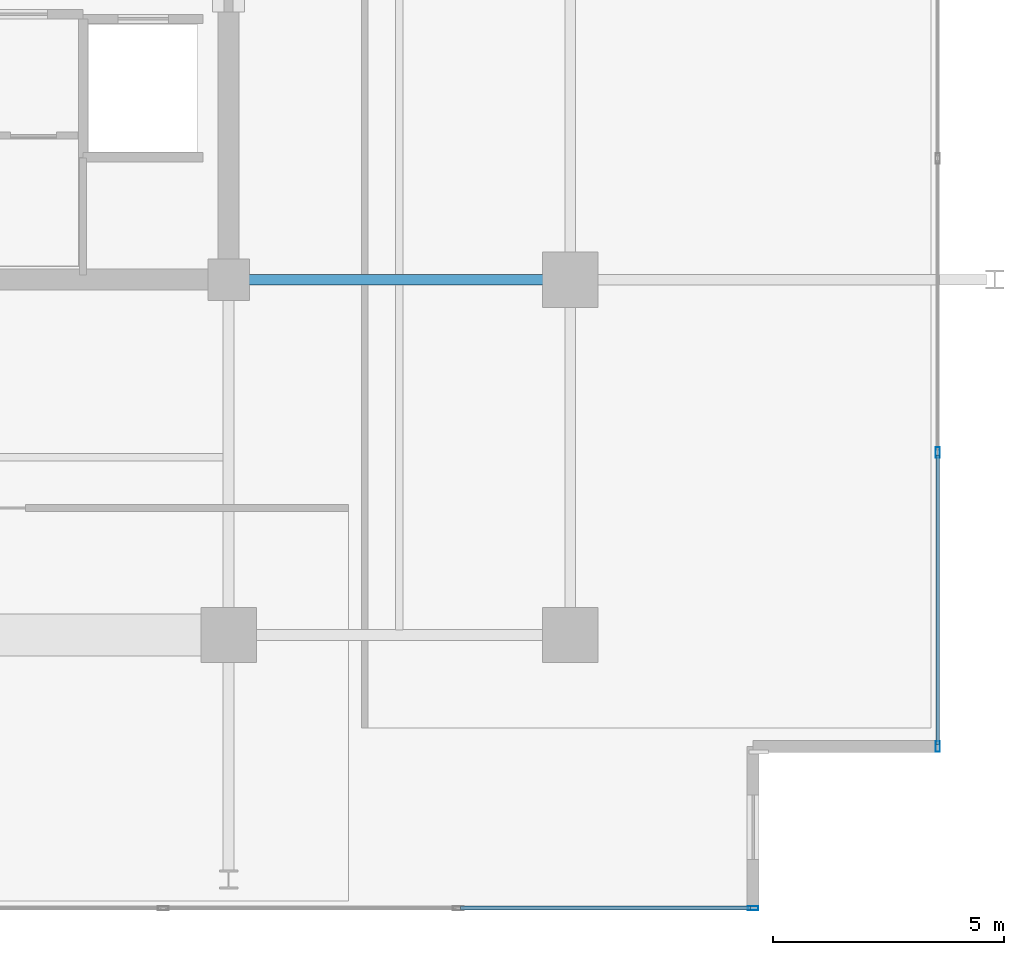
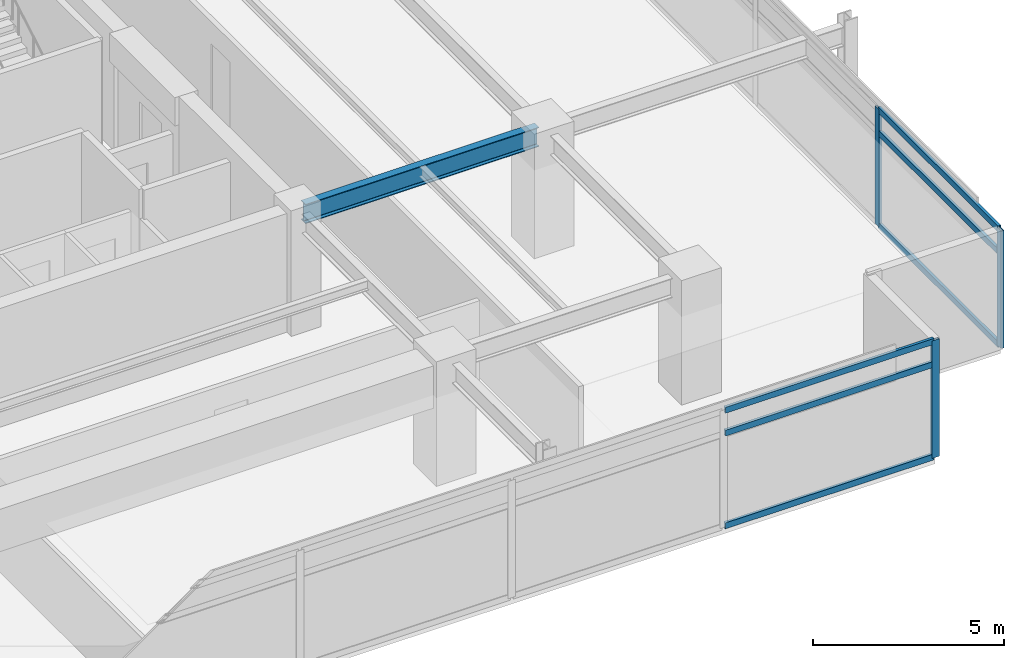
# One storey, part 7 of 21: 9 members, 1 beam, 2 elements without a shape of their own.
"""IFC4 building model written with IfcOpenShell, lengths in metres."""

from ifc_helpers import new_model, si_unit, direction, frame, origin, origin_2d, place, context, subcontext, project, spatial, hollow_rectangle, i_section, extrude, material, material_profile, profile_set, type_object, element, aggregate, save


model = new_model("IFC4")

# Units and contexts
model_context = context("Model", 3, precision=1e-05, world=origin(), true_north=direction((0.0, 1.0)))
body_context = subcontext(model_context, "Body", "Model", "MODEL_VIEW")
ifc_project = project(units=[si_unit("LENGTHUNIT", "METRE"), si_unit("AREAUNIT", "SQUARE_METRE"), si_unit("VOLUMEUNIT", "CUBIC_METRE"), si_unit("PLANEANGLEUNIT", "RADIAN"), si_unit("MASSUNIT", "GRAM", prefix="KILO")], contexts=[model_context])

# Site, building, storey
site_placement = place(None, origin())
site = spatial("IfcSite", under=ifc_project, at=site_placement, CompositionType="ELEMENT")
building_placement = place(site_placement, origin())
building = spatial("IfcBuilding", under=site, at=building_placement, Name="Kovane Verandah Tower", CompositionType="ELEMENT")
storey_placement = place(building_placement, frame((0.0, 0.0, 247.199951171875)))
storey = spatial("IfcBuildingStorey", under=building, at=storey_placement, Name="L57", CompositionType="ELEMENT", Elevation=247.199951171875)

# Beam
ifc_material_1 = material(Name="Steel S355", Category="steel")
ifc_material_profile_1 = material_profile(ifc_material_1, i_section(OverallWidth=0.230224609375, OverallDepth=0.6171875, WebThickness=0.01318359375, FlangeThickness=0.022216796875, FilletRadius=0.0126953125, at=origin_2d()), Name="UB610x229x140")
ifc_profile_set_1 = profile_set([ifc_material_profile_1], Name="Steel S355")
beam_type = type_object("IfcBeamType", Name="BM-UB610x140", PredefinedType="BEAM", material=ifc_profile_set_1)
beam_placement = place(storey_placement, frame((51.179931640625, 18.5, 3.4765625), z_axis=(1.0, 0.0, 0.0), x_axis=(0.0, 1.0, 0.0)))
element("IfcBeam", 1, at=beam_placement, inside=storey, type_object=beam_type, Name="L57 Primary Tower Girder G-E1", PredefinedType="BEAM", context=body_context, shape_type="SweptSolid", body=[
    extrude(i_section(OverallWidth=0.230224609375, OverallDepth=0.6171875, WebThickness=0.01318359375, FlangeThickness=0.022216796875, FilletRadius=0.0126953125, at=origin_2d()), origin(), (0.0, 0.0, 1.0), 7.0400390625),
])

# Curtain wall, member
ifc_material_2 = material(Name="Champagne Anodised Aluminium Frame with Low-E Clear Laminated Glass", Category="aluminium")
curtain_wall_type = type_object("IfcCurtainWallType", Name="CW-SYS-05-HIGH", PredefinedType="NOTDEFINED", material=ifc_material_2)
curtain_wall_1_placement = place(storey_placement, origin())
curtain_wall_1 = element("IfcCurtainWall", 2, at=curtain_wall_1_placement, inside=storey, type_object=curtain_wall_type, Name="L57 S Unitised Curtain Wall", PredefinedType="NOTDEFINED")
ifc_material_3 = material(Name="Champagne Anodised Aluminium 6063-T6", Category="aluminium")
ifc_material_profile_2 = material_profile(ifc_material_3, hollow_rectangle(XDim=0.0849609375, YDim=0.22998046875, WallThickness=0.00390625, at=origin_2d()), Name="AL85x230x4")
ifc_profile_set_2 = profile_set([ifc_material_profile_2], Name="Champagne Anodised Aluminium 6063-T6")
member_type_1 = type_object("IfcMemberType", Name="CW-MUL-85x230", PredefinedType="MULLION", material=ifc_profile_set_2)
member_1_placement = place(storey_placement, frame((62.366455078125, 4.8818359375, 0.02001953125), z_axis=(0.0, 0.0, 1.0), x_axis=(0.0, -1.0, 0.0)))
member_1 = element("IfcMember", 3, at=member_1_placement, type_object=member_type_1, Name="L57 S Unitised Curtain Wall Mullion 8", PredefinedType="MULLION", context=body_context, shape_type="SweptSolid", body=[
    extrude(hollow_rectangle(XDim=0.0849609375, YDim=0.22998046875, WallThickness=0.00390625, at=origin_2d()), origin(), (0.0, 0.0, 1.0), 3.7451171875),
])

# Curtain wall, members
curtain_wall_2_placement = place(storey_placement, origin())
curtain_wall_2 = element("IfcCurtainWall", 4, at=curtain_wall_2_placement, inside=storey, type_object=curtain_wall_type, Name="L57 E Unitised Curtain Wall", PredefinedType="NOTDEFINED")
member_2_placement = place(storey_placement, frame((66.366455078125, 8.3818359375, 0.02001953125), z_axis=(0.0, 0.0, 1.0), x_axis=(1.0, 0.0, 0.0)))
member_2 = element("IfcMember", 5, at=member_2_placement, type_object=member_type_1, Name="L57 E Unitised Curtain Wall Mullion 1", PredefinedType="MULLION", context=body_context, shape_type="SweptSolid", body=[
    extrude(hollow_rectangle(XDim=0.0849609375, YDim=0.22998046875, WallThickness=0.00390625, at=origin_2d()), origin(), (0.0, 0.0, 1.0), 3.7451171875),
])
member_3_placement = place(storey_placement, frame((66.366455078125, 14.75439453125, 0.02001953125), z_axis=(0.0, 0.0, 1.0), x_axis=(1.0, 0.0, 0.0)))
member_3 = element("IfcMember", 6, at=member_3_placement, type_object=member_type_1, Name="L57 E Unitised Curtain Wall Mullion 2", PredefinedType="MULLION", context=body_context, shape_type="SweptSolid", body=[
    extrude(hollow_rectangle(XDim=0.0849609375, YDim=0.22998046875, WallThickness=0.00390625, at=origin_2d()), origin(), (0.0, 0.0, 1.0), 3.7451171875),
])

# Member
ifc_material_profile_3 = material_profile(ifc_material_3, hollow_rectangle(XDim=0.0849609375, YDim=0.18994140625, WallThickness=0.00390625, at=origin_2d()), Name="AL85x190x4")
ifc_profile_set_3 = profile_set([ifc_material_profile_3], Name="Champagne Anodised Aluminium 6063-T6")
member_type_2 = type_object("IfcMemberType", Name="CW-TRN-85x190", PredefinedType="USERDEFINED", material=ifc_profile_set_3)
member_4_placement = place(storey_placement, frame((56.026123046875, 4.8818359375, 0.050048828125), z_axis=(1.0, 0.0, 0.0), x_axis=(0.0, 1.0, 0.0)))
member_4 = element("IfcMember", 7, at=member_4_placement, type_object=member_type_2, Name="L57 S Unitised Curtain Wall Transom TB Bay 7", ObjectType="TRANSOM", PredefinedType="USERDEFINED", context=body_context, shape_type="SweptSolid", body=[
    extrude(hollow_rectangle(XDim=0.0849609375, YDim=0.18994140625, WallThickness=0.00390625, at=origin_2d()), origin(), (0.0, 0.0, 1.0), 6.290283203125),
])

member_5_placement = place(storey_placement, frame((56.026123046875, 4.8818359375, 3.005126953125), z_axis=(1.0, 0.0, 0.0), x_axis=(0.0, 1.0, 0.0)))
member_5 = element("IfcMember", 8, at=member_5_placement, type_object=member_type_2, Name="L57 S Unitised Curtain Wall Transom TM Bay 7", ObjectType="TRANSOM", PredefinedType="USERDEFINED", context=body_context, shape_type="SweptSolid", body=[
    extrude(hollow_rectangle(XDim=0.0849609375, YDim=0.18994140625, WallThickness=0.00390625, at=origin_2d()), origin(), (0.0, 0.0, 1.0), 6.290283203125),
])

member_6_placement = place(storey_placement, frame((56.026123046875, 4.8818359375, 3.735107421875), z_axis=(1.0, 0.0, 0.0), x_axis=(0.0, 1.0, 0.0)))
member_6 = element("IfcMember", 9, at=member_6_placement, type_object=member_type_2, Name="L57 S Unitised Curtain Wall Transom TT Bay 7", ObjectType="TRANSOM", PredefinedType="USERDEFINED", context=body_context, shape_type="SweptSolid", body=[
    extrude(hollow_rectangle(XDim=0.0849609375, YDim=0.18994140625, WallThickness=0.00390625, at=origin_2d()), origin(), (0.0, 0.0, 1.0), 6.290283203125),
])

aggregate(curtain_wall_1, [member_1, member_4, member_5, member_6])

member_7_placement = place(storey_placement, frame((66.366455078125, 8.431884765625, 0.050048828125), z_axis=(0.0, 1.0, 0.0), x_axis=(-1.0, 0.0, 0.0)))
member_7 = element("IfcMember", 10, at=member_7_placement, type_object=member_type_2, Name="L57 E Unitised Curtain Wall Transom TB Bay 1", ObjectType="TRANSOM", PredefinedType="USERDEFINED", context=body_context, shape_type="SweptSolid", body=[
    extrude(hollow_rectangle(XDim=0.0849609375, YDim=0.18994140625, WallThickness=0.00390625, at=origin_2d()), origin(), (0.0, 0.0, 1.0), 6.272705078125),
])

member_8_placement = place(storey_placement, frame((66.366455078125, 8.431884765625, 3.005126953125), z_axis=(0.0, 1.0, 0.0), x_axis=(-1.0, 0.0, 0.0)))
member_8 = element("IfcMember", 11, at=member_8_placement, type_object=member_type_2, Name="L57 E Unitised Curtain Wall Transom TM Bay 1", ObjectType="TRANSOM", PredefinedType="USERDEFINED", context=body_context, shape_type="SweptSolid", body=[
    extrude(hollow_rectangle(XDim=0.0849609375, YDim=0.18994140625, WallThickness=0.00390625, at=origin_2d()), origin(), (0.0, 0.0, 1.0), 6.272705078125),
])

member_9_placement = place(storey_placement, frame((66.366455078125, 8.431884765625, 3.735107421875), z_axis=(0.0, 1.0, 0.0), x_axis=(-1.0, 0.0, 0.0)))
member_9 = element("IfcMember", 12, at=member_9_placement, type_object=member_type_2, Name="L57 E Unitised Curtain Wall Transom TT Bay 1", ObjectType="TRANSOM", PredefinedType="USERDEFINED", context=body_context, shape_type="SweptSolid", body=[
    extrude(hollow_rectangle(XDim=0.0849609375, YDim=0.18994140625, WallThickness=0.00390625, at=origin_2d()), origin(), (0.0, 0.0, 1.0), 6.272705078125),
])

aggregate(curtain_wall_2, [member_2, member_3, member_7, member_8, member_9])

save(model, "model.ifc")
